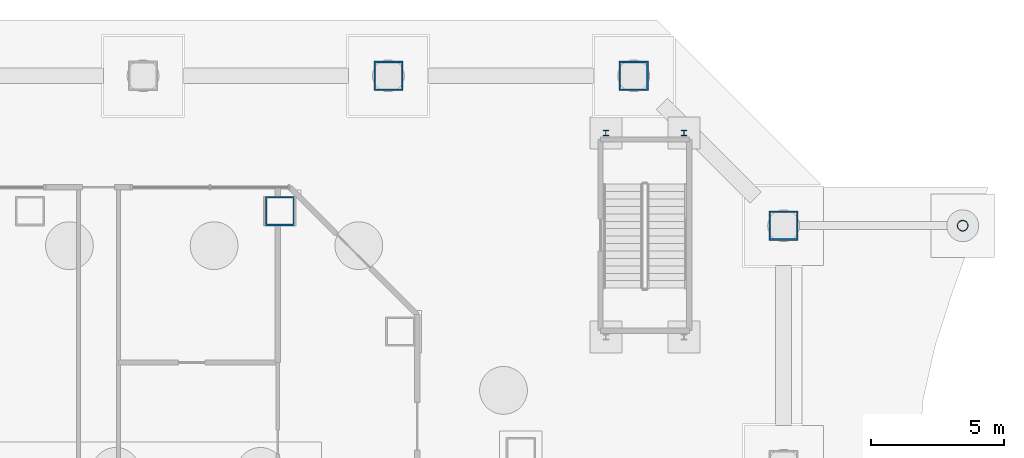
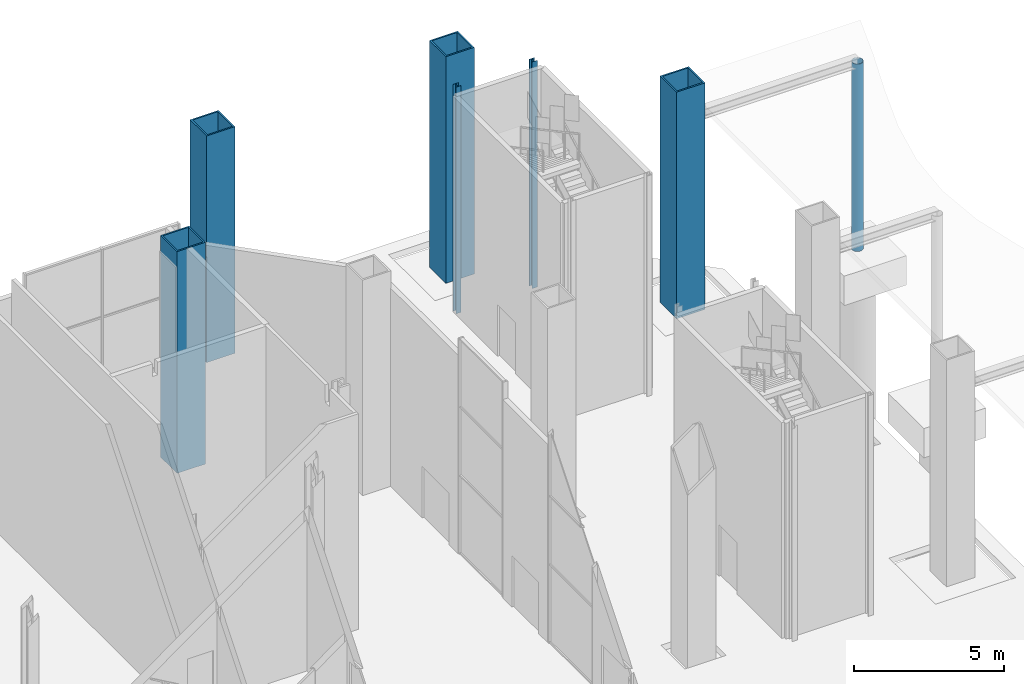
# One storey, part 12 of 38: 7 columns.
"""IFC4 building model written with IfcOpenShell, lengths in metres."""

from ifc_helpers import new_model, si_unit, direction, frame, origin, origin_2d, place, context, subcontext, project, spatial, hollow_rectangle, hollow_circle, i_section, extrude, material, material_profile, profile_set, type_object, element, save


model = new_model("IFC4")

# Units and contexts
model_context = context("Model", 3, precision=1e-05, world=origin(), true_north=direction((0.0, 1.0)))
body_context = subcontext(model_context, "Body", "Model", "MODEL_VIEW")
ifc_project = project(units=[si_unit("LENGTHUNIT", "METRE"), si_unit("AREAUNIT", "SQUARE_METRE"), si_unit("VOLUMEUNIT", "CUBIC_METRE"), si_unit("PLANEANGLEUNIT", "RADIAN"), si_unit("MASSUNIT", "GRAM", prefix="KILO")], contexts=[model_context])

# Site, building, storey
site_placement = place(None, origin())
site = spatial("IfcSite", under=ifc_project, at=site_placement, CompositionType="ELEMENT")
building_placement = place(site_placement, origin())
building = spatial("IfcBuilding", under=site, at=building_placement, Name="Cairn Pilgrim Tower", CompositionType="ELEMENT")
storey_placement = place(building_placement, origin())
storey = spatial("IfcBuildingStorey", under=building, at=storey_placement, Name="L00", CompositionType="ELEMENT", Elevation=0.0)

# Columns
ifc_material_1 = material(Name="Structural steel S460M", Category="steel")
ifc_material_profile_1 = material_profile(ifc_material_1, hollow_rectangle(XDim=1.10009765625, YDim=1.10009765625, WallThickness=0.06005859375, at=origin_2d()), Name="BOX 1100x1100x60")
ifc_profile_set_1 = profile_set([ifc_material_profile_1], Name="Structural steel S460M")
column_type_1 = type_object("IfcColumnType", Name="BOX 1100x1100x60", PredefinedType="COLUMN", material=ifc_profile_set_1)
column_1_placement = place(storey_placement, frame((18.8271484375, 23.10009765625, -0.25), z_axis=(0.0, 0.0, 1.0), x_axis=(1.0, 0.0, 0.0)))
element("IfcColumn", 1, at=column_1_placement, inside=storey, type_object=column_type_1, Name="PC1-N1", PredefinedType="COLUMN", context=body_context, shape_type="SweptSolid", body=[
    extrude(hollow_rectangle(XDim=1.10009765625, YDim=1.10009765625, WallThickness=0.06005859375, at=origin_2d()), origin(), (0.0, 0.0, 1.0), 9.050048828125),
])
ifc_material_profile_2 = material_profile(ifc_material_1, hollow_circle(Radius=0.203125, WallThickness=0.01611328125, at=origin_2d()), Name="MARQUISE TIP COLUMN CHS 406x16")
ifc_profile_set_2 = profile_set([ifc_material_profile_2], Name="Structural steel S460M")
column_type_2 = type_object("IfcColumnType", Name="MARQUISE TIP COLUMN CHS 406x16", PredefinedType="COLUMN", material=ifc_profile_set_2)
column_2_placement = place(storey_placement, frame((44.5458984375, 22.551513671875, -0.25), z_axis=(0.0, 0.0, 1.0), x_axis=(1.0, 0.0, 0.0)))
element("IfcColumn", 2, at=column_2_placement, inside=storey, type_object=column_type_2, Name="MARQUISE TIP COLUMN NE1", PredefinedType="COLUMN", context=body_context, shape_type="SweptSolid", body=[
    extrude(hollow_circle(Radius=0.203125, WallThickness=0.01611328125, at=origin_2d()), origin(), (0.0, 0.0, 1.0), 7.64990234375),
])
ifc_material_profile_3 = material_profile(ifc_material_1, hollow_rectangle(XDim=1.10009765625, YDim=1.10009765625, WallThickness=0.06005859375, at=origin_2d()), Name="BOX 1100x1100x60")
ifc_profile_set_3 = profile_set([ifc_material_profile_3], Name="Structural steel S460M")
column_type_3 = type_object("IfcColumnType", Name="PILOTIS CFT 1100", PredefinedType="COLUMN", material=ifc_profile_set_3)
for number, where, z_axis, x_axis, name in (
    (3, (37.800048828125, 22.551513671875, -0.25), (0.0, 0.0, 1.0), (1.0, 0.0, 0.0), "PILOTIS PL-NE1"),
    (4, (32.151611328125, 28.199951171875, -0.25), (0.0, 0.0, 1.0), (1.0, 0.0, 0.0), "PILOTIS PL-N1"),
    (5, (22.91357421875, 28.199951171875, -0.25), (0.0, 0.0, 1.0), (1.0, 0.0, 0.0), "PILOTIS PL-N2"),
):
    element("IfcColumn", number, at=place(storey_placement, frame(where, z_axis=z_axis, x_axis=x_axis)), inside=storey, type_object=column_type_3, Name=name, PredefinedType="COLUMN", context=body_context, shape_type="SweptSolid", body=[
        extrude(hollow_rectangle(XDim=1.10009765625, YDim=1.10009765625, WallThickness=0.06005859375, at=origin_2d()), origin(), (0.0, 0.0, 1.0), 9.25),
    ])
ifc_material_2 = material(Name="Structural steel S355J2", Category="steel")
ifc_material_profile_4 = material_profile(ifc_material_2, i_section(OverallWidth=0.199951171875, OverallDepth=0.199951171875, WebThickness=0.009033203125, FlangeThickness=0.014892578125, FilletRadius=0.01806640625, at=origin_2d()), Name="HE 200 B")
ifc_profile_set_4 = profile_set([ifc_material_profile_4], Name="Structural steel S355J2")
column_type_4 = type_object("IfcColumnType", Name="STAIR POST HE 200 B", PredefinedType="COLUMN", material=ifc_profile_set_4)
for number, where, z_axis, x_axis, name in (
    (6, (31.10498046875, 26.0400390625, -0.25), (0.0, 0.0, 1.0), (1.0, 0.0, 0.0), "STAIR POST LP-ES4-NA"),
    (7, (34.044921875, 26.0400390625, -0.25), (0.0, 0.0, 1.0), (1.0, 0.0, 0.0), "STAIR POST LP-ES4-NB"),
):
    element("IfcColumn", number, at=place(storey_placement, frame(where, z_axis=z_axis, x_axis=x_axis)), inside=storey, type_object=column_type_4, Name=name, PredefinedType="COLUMN", context=body_context, shape_type="SweptSolid", body=[
        extrude(i_section(OverallWidth=0.199951171875, OverallDepth=0.199951171875, WebThickness=0.009033203125, FlangeThickness=0.014892578125, FilletRadius=0.01806640625, at=origin_2d()), origin(), (0.0, 0.0, 1.0), 9.25),
    ])

save(model, "model.ifc")
